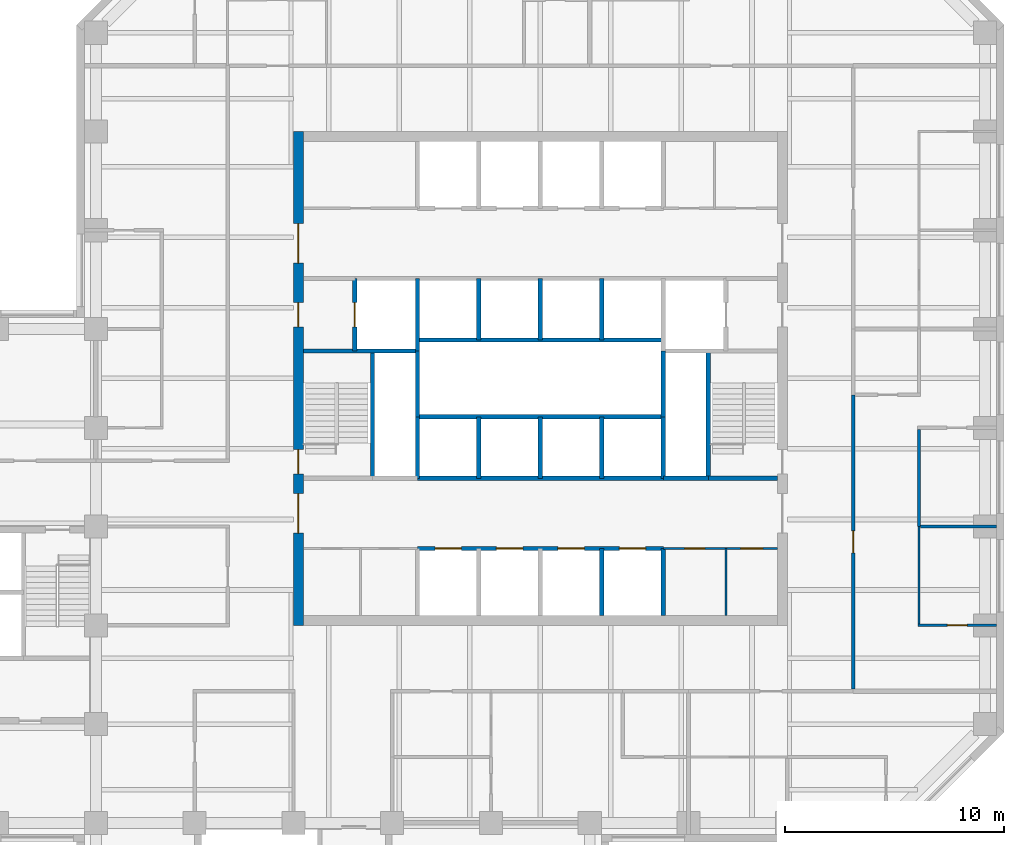
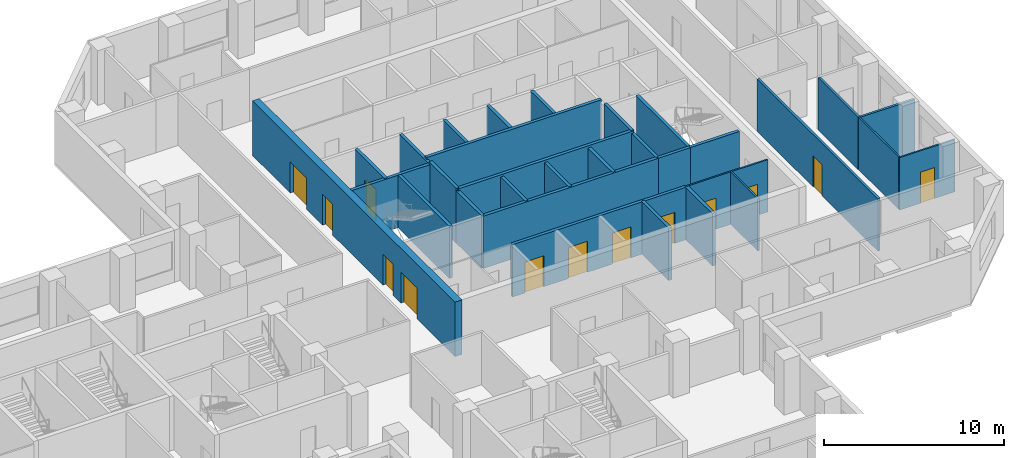
# One storey, part 7 of 11: 31 walls, 13 doors, 13 openings.
"""IFC4 building model written with IfcOpenShell, lengths in metres."""

from ifc_helpers import new_model, si_unit, direction, frame, frame_2d, origin, place, context, subcontext, project, spatial, rectangle, extrude, material, layer, layer_set, type_object, element, fill, save


model = new_model("IFC4")

# Units and contexts
model_context = context("Model", 3, precision=1e-05, world=origin(), true_north=direction((0.0, 1.0)))
body_context = subcontext(model_context, "Body", "Model", "MODEL_VIEW")
ifc_project = project(units=[si_unit("LENGTHUNIT", "METRE"), si_unit("AREAUNIT", "SQUARE_METRE"), si_unit("VOLUMEUNIT", "CUBIC_METRE"), si_unit("PLANEANGLEUNIT", "RADIAN"), si_unit("MASSUNIT", "GRAM", prefix="KILO")], contexts=[model_context])

# Site, building, storey
site_placement = place(None, origin())
site = spatial("IfcSite", under=ifc_project, at=site_placement, CompositionType="ELEMENT")
building_placement = place(site_placement, origin())
building = spatial("IfcBuilding", under=site, at=building_placement, Name="Quoin Convention Tower", CompositionType="ELEMENT")
storey_placement = place(building_placement, frame((0.0, 0.0, 130.699951171875)))
storey = spatial("IfcBuildingStorey", under=building, at=storey_placement, Name="L34", CompositionType="ELEMENT", Elevation=130.699951171875)

# Walls
ifc_material_1 = material(Name="Plasterboard")
ifc_layer_1 = layer(ifc_material_1, 0.012451171875, Name="Finish")
ifc_material_2 = material(Name="Steel stud framing", Category="steel")
ifc_layer_2 = layer(ifc_material_2, 0.125, Name="Structure")
ifc_layer_3 = layer(ifc_material_1, 0.012451171875, Name="Finish")
ifc_layer_set_1 = layer_set([ifc_layer_1, ifc_layer_2, ifc_layer_3], Name="Steel stud framing")
wall_type_1 = type_object("IfcWallType", Name="Acoustic partition 150", PredefinedType="PARTITIONING", material=ifc_layer_set_1)
wall_1_placement = place(storey_placement, frame((73.574951171875, 54.0, 0.0), z_axis=(0.0, 0.0, 1.0), x_axis=(1.0, 0.0, 0.0)))
element("IfcWall", 1, at=wall_1_placement, inside=storey, type_object=wall_type_1, Name="pw-L34-035", PredefinedType="PARTITIONING", context=body_context, shape_type="SweptSolid", body=[
    extrude(rectangle(XDim=3.449951171875, YDim=0.14990234375, at=frame_2d((1.72509765625, 0.0))), origin(), (0.0, 0.0, 1.0), 3.550048828125),
])
wall_2_placement = place(storey_placement, frame((73.5, 54.0, 0.0), z_axis=(0.0, 0.0, 1.0), x_axis=(0.0, 1.0, 0.0)))
element("IfcWall", 2, at=wall_2_placement, inside=storey, type_object=wall_type_1, Name="pw-L34-089", PredefinedType="PARTITIONING", context=body_context, shape_type="SweptSolid", body=[
    extrude(rectangle(XDim=4.425048828125, YDim=0.14990234375, at=frame_2d((2.21240234375, 0.0))), origin(), (0.0, 0.0, 1.0), 3.550048828125),
])

# Wall, openings, doors
ifc_layer_4 = layer(ifc_material_1, 0.012451171875, Name="Finish")
ifc_layer_5 = layer(ifc_material_2, 0.074951171875, Name="Structure")
ifc_layer_6 = layer(ifc_material_1, 0.012451171875, Name="Finish")
ifc_layer_set_2 = layer_set([ifc_layer_4, ifc_layer_5, ifc_layer_6], Name="Steel stud framing")
wall_type_2 = type_object("IfcWallType", Name="Core partition wall", PredefinedType="PARTITIONING", material=ifc_layer_set_2)
wall_3_placement = place(storey_placement, frame((61.85009765625, 53.0, 0.0), z_axis=(0.0, 0.0, 1.0), x_axis=(1.0, 0.0, 0.0)))
wall_3 = element("IfcWall", 3, at=wall_3_placement, inside=storey, type_object=wall_type_2, Name="cr-C1-L34-h3500_16850", PredefinedType="PARTITIONING", context=body_context, shape_type="SweptSolid", body=[
    extrude(rectangle(XDim=5.199951171875, YDim=0.10009765625, at=frame_2d((2.60009765625, 0.0))), origin(), (0.0, 0.0, 1.0), 3.550048828125),
])
opening_1_placement = place(wall_3_placement, frame((3.530029296875, 0.0, 0.0)))
opening_1 = element("IfcOpeningElement", 4, at=opening_1_placement, cuts=wall_3, Name="Opening DCV0-31", PredefinedType="OPENING", context=body_context, shape_type="SweptSolid", body=[
    extrude(rectangle(XDim=1.0, YDim=2.10009765625, at=frame_2d((0.5, 1.050048828125))), frame((0.0, 0.06005859375, 0.0), z_axis=(0.0, -1.0, 0.0), x_axis=(1.0, 0.0, 0.0)), (0.0, 0.0, 1.0), 0.1201171875),
])
opening_2_placement = place(wall_3_placement, frame((0.97998046875, 0.0, 0.0)))
opening_2 = element("IfcOpeningElement", 5, at=opening_2_placement, cuts=wall_3, Name="Opening DCV0-28", PredefinedType="OPENING", context=body_context, shape_type="SweptSolid", body=[
    extrude(rectangle(XDim=0.89990234375, YDim=2.10009765625, at=frame_2d((0.449951171875, 1.050048828125))), frame((0.0, 0.06005859375, 0.0), z_axis=(0.0, -1.0, 0.0), x_axis=(1.0, 0.0, 0.0)), (0.0, 0.0, 1.0), 0.1201171875),
])
ifc_material_3 = material(Name="Steel door leaf", Category="steel")
door_type_1 = type_object("IfcDoorType", Name="Core room door 1000 x 2100", OperationType="SINGLE_SWING_LEFT", PredefinedType="DOOR", material=ifc_material_3)
door_1_placement = place(opening_1_placement, frame((1.0, 0.0, 0.0), z_axis=(0.0, 0.0, 1.0), x_axis=(-1.0, 0.0, 0.0)))
door_1 = element("IfcDoor", 6, at=door_1_placement, inside=storey, type_object=door_type_1, Name="cd-C1-L34-CSE0-lobA-CD3410", OperationType="SINGLE_SWING_LEFT", OverallHeight=2.10009765625, OverallWidth=1.0, PredefinedType="DOOR", context=body_context, shape_type="SweptSolid", body=[
    extrude(rectangle(XDim=1.0, YDim=2.10009765625, at=frame_2d((0.5, 1.050048828125))), frame((0.0, 0.02490234375, 0.0), z_axis=(0.0, -1.0, 0.0), x_axis=(1.0, 0.0, 0.0)), (0.0, 0.0, 1.0), 0.050048828125),
])
fill(opening_1, door_1)
door_type_2 = type_object("IfcDoorType", Name="Core room door 900 x 2100", OperationType="SINGLE_SWING_LEFT", PredefinedType="DOOR", material=ifc_material_3)
door_2_placement = place(opening_2_placement, frame((0.89990234375, 0.0, 0.0), z_axis=(0.0, 0.0, 1.0), x_axis=(-1.0, 0.0, 0.0)))
door_2 = element("IfcDoor", 7, at=door_2_placement, inside=storey, type_object=door_type_2, Name="cd-C1-L34-CSE1-lobA-CD3411", OperationType="SINGLE_SWING_LEFT", OverallHeight=2.10009765625, OverallWidth=0.89990234375, PredefinedType="DOOR", context=body_context, shape_type="SweptSolid", body=[
    extrude(rectangle(XDim=0.89990234375, YDim=2.10009765625, at=frame_2d((0.449951171875, 1.050048828125))), frame((0.0, 0.02490234375, 0.0), z_axis=(0.0, -1.0, 0.0), x_axis=(1.0, 0.0, 0.0)), (0.0, 0.0, 1.0), 0.050048828125),
])
fill(opening_2, door_2)

# Wall
wall_4_placement = place(storey_placement, frame((64.7099609375, 49.949951171875, 0.0), z_axis=(0.0, 0.0, 1.0), x_axis=(0.0, 1.0, 0.0)))
element("IfcWall", 8, at=wall_4_placement, inside=storey, type_object=wall_type_2, Name="cr-C1-L34-v19710_450", PredefinedType="PARTITIONING", context=body_context, shape_type="SweptSolid", body=[
    extrude(rectangle(XDim=3.050048828125, YDim=0.10009765625, at=frame_2d((1.52490234375, 0.0))), origin(), (0.0, 0.0, 1.0), 3.550048828125),
])

# Wall, openings, doors
ifc_material_4 = material(Name="Concrete C50", Category="concrete")
ifc_layer_7 = layer(ifc_material_4, 0.199951171875)
ifc_layer_set_3 = layer_set([ifc_layer_7], Name="Concrete C50")
wall_type_3 = type_object("IfcWallType", Name="Core shaft wall", PredefinedType="SOLIDWALL", material=ifc_layer_set_3)
wall_5_placement = place(storey_placement, frame((50.64990234375, 53.0, 0.0), z_axis=(0.0, 0.0, 1.0), x_axis=(1.0, 0.0, 0.0)))
wall_5 = element("IfcWall", 9, at=wall_5_placement, inside=storey, type_object=wall_type_3, Name="cr-C1-L34-h3500_5650", PredefinedType="SOLIDWALL", context=body_context, shape_type="SweptSolid", body=[
    extrude(rectangle(XDim=11.2001953125, YDim=0.199951171875, at=frame_2d((5.60009765625, 0.0))), origin(), (0.0, 0.0, 1.0), 3.550048828125),
])
opening_3_placement = place(wall_5_placement, frame((0.800048828125, 0.0, 0.0)))
opening_3 = element("IfcOpeningElement", 10, at=opening_3_placement, cuts=wall_5, Name="Opening LDL1", PredefinedType="OPENING", context=body_context, shape_type="SweptSolid", body=[
    extrude(rectangle(XDim=1.199951171875, YDim=2.10009765625, at=frame_2d((0.60009765625, 1.050048828125))), frame((0.0, 0.10986328125, 0.0), z_axis=(0.0, -1.0, 0.0), x_axis=(1.0, 0.0, 0.0)), (0.0, 0.0, 1.0), 0.219970703125),
])
opening_4_placement = place(wall_5_placement, frame((3.60009765625, 0.0, 0.0)))
opening_4 = element("IfcOpeningElement", 11, at=opening_4_placement, cuts=wall_5, Name="Opening LDL2", PredefinedType="OPENING", context=body_context, shape_type="SweptSolid", body=[
    extrude(rectangle(XDim=1.199951171875, YDim=2.10009765625, at=frame_2d((0.60009765625, 1.050048828125))), frame((0.0, 0.10986328125, 0.0), z_axis=(0.0, -1.0, 0.0), x_axis=(1.0, 0.0, 0.0)), (0.0, 0.0, 1.0), 0.219970703125),
])
opening_5_placement = place(wall_5_placement, frame((6.39990234375, 0.0, 0.0)))
opening_5 = element("IfcOpeningElement", 12, at=opening_5_placement, cuts=wall_5, Name="Opening LDL3", PredefinedType="OPENING", context=body_context, shape_type="SweptSolid", body=[
    extrude(rectangle(XDim=1.199951171875, YDim=2.10009765625, at=frame_2d((0.60009765625, 1.050048828125))), frame((0.0, 0.10986328125, 0.0), z_axis=(0.0, -1.0, 0.0), x_axis=(1.0, 0.0, 0.0)), (0.0, 0.0, 1.0), 0.219970703125),
])
opening_6_placement = place(wall_5_placement, frame((9.199951171875, 0.0, 0.0)))
opening_6 = element("IfcOpeningElement", 13, at=opening_6_placement, cuts=wall_5, Name="Opening LDL4", PredefinedType="OPENING", context=body_context, shape_type="SweptSolid", body=[
    extrude(rectangle(XDim=1.199951171875, YDim=2.10009765625, at=frame_2d((0.60009765625, 1.050048828125))), frame((0.0, 0.10986328125, 0.0), z_axis=(0.0, -1.0, 0.0), x_axis=(1.0, 0.0, 0.0)), (0.0, 0.0, 1.0), 0.219970703125),
])
door_type_3 = type_object("IfcDoorType", Name="Lift landing door 1200 x 2100", OperationType="DOUBLE_DOOR_SLIDING", PredefinedType="DOOR", material=ifc_material_3)
door_3_placement = place(opening_3_placement, origin())
door_3 = element("IfcDoor", 14, at=door_3_placement, inside=storey, type_object=door_type_3, Name="cd-C1-L34-R10-lobA-LDL1", OperationType="DOUBLE_DOOR_SLIDING", OverallHeight=2.10009765625, OverallWidth=1.199951171875, PredefinedType="DOOR", context=body_context, shape_type="SweptSolid", body=[
    extrude(rectangle(XDim=1.199951171875, YDim=2.10009765625, at=frame_2d((0.60009765625, 1.050048828125))), frame((0.0, 0.02490234375, 0.0), z_axis=(0.0, -1.0, 0.0), x_axis=(1.0, 0.0, 0.0)), (0.0, 0.0, 1.0), 0.050048828125),
])
fill(opening_3, door_3)
door_4_placement = place(opening_4_placement, origin())
door_4 = element("IfcDoor", 15, at=door_4_placement, inside=storey, type_object=door_type_3, Name="cd-C1-L34-R11-lobA-LDL2", OperationType="DOUBLE_DOOR_SLIDING", OverallHeight=2.10009765625, OverallWidth=1.199951171875, PredefinedType="DOOR", context=body_context, shape_type="SweptSolid", body=[
    extrude(rectangle(XDim=1.199951171875, YDim=2.10009765625, at=frame_2d((0.60009765625, 1.050048828125))), frame((0.0, 0.02490234375, 0.0), z_axis=(0.0, -1.0, 0.0), x_axis=(1.0, 0.0, 0.0)), (0.0, 0.0, 1.0), 0.050048828125),
])
fill(opening_4, door_4)
door_5_placement = place(opening_5_placement, origin())
door_5 = element("IfcDoor", 16, at=door_5_placement, inside=storey, type_object=door_type_3, Name="cd-C1-L34-R12-lobA-LDL3", OperationType="DOUBLE_DOOR_SLIDING", OverallHeight=2.10009765625, OverallWidth=1.199951171875, PredefinedType="DOOR", context=body_context, shape_type="SweptSolid", body=[
    extrude(rectangle(XDim=1.199951171875, YDim=2.10009765625, at=frame_2d((0.60009765625, 1.050048828125))), frame((0.0, 0.02490234375, 0.0), z_axis=(0.0, -1.0, 0.0), x_axis=(1.0, 0.0, 0.0)), (0.0, 0.0, 1.0), 0.050048828125),
])
fill(opening_5, door_5)
door_6_placement = place(opening_6_placement, origin())
door_6 = element("IfcDoor", 17, at=door_6_placement, inside=storey, type_object=door_type_3, Name="cd-C1-L34-R13-lobA-LDL4", OperationType="DOUBLE_DOOR_SLIDING", OverallHeight=2.10009765625, OverallWidth=1.199951171875, PredefinedType="DOOR", context=body_context, shape_type="SweptSolid", body=[
    extrude(rectangle(XDim=1.199951171875, YDim=2.10009765625, at=frame_2d((0.60009765625, 1.050048828125))), frame((0.0, 0.02490234375, 0.0), z_axis=(0.0, -1.0, 0.0), x_axis=(1.0, 0.0, 0.0)), (0.0, 0.0, 1.0), 0.050048828125),
])
fill(opening_6, door_6)

# Walls
wall_6_placement = place(storey_placement, frame((61.85009765625, 56.199951171875, 0.0), z_axis=(0.0, 0.0, 1.0), x_axis=(1.0, 0.0, 0.0)))
element("IfcWall", 18, at=wall_6_placement, inside=storey, type_object=wall_type_3, Name="cr-C1-L34-h6700_16850", PredefinedType="SOLIDWALL", context=body_context, shape_type="SweptSolid", body=[
    extrude(rectangle(XDim=2.0498046875, YDim=0.199951171875, at=frame_2d((1.02490234375, 0.0))), origin(), (0.0, 0.0, 1.0), 3.550048828125),
])
wall_7_placement = place(storey_placement, frame((50.64990234375, 56.199951171875, 0.0), z_axis=(0.0, 0.0, 1.0), x_axis=(1.0, 0.0, 0.0)))
element("IfcWall", 19, at=wall_7_placement, inside=storey, type_object=wall_type_3, Name="cr-C1-L34-h6700_5650", PredefinedType="SOLIDWALL", context=body_context, shape_type="SweptSolid", body=[
    extrude(rectangle(XDim=11.2001953125, YDim=0.199951171875, at=frame_2d((5.60009765625, 0.0))), origin(), (0.0, 0.0, 1.0), 3.550048828125),
])
wall_8_placement = place(storey_placement, frame((63.89990234375, 56.199951171875, 0.0), z_axis=(0.0, 0.0, 1.0), x_axis=(1.0, 0.0, 0.0)))
element("IfcWall", 20, at=wall_8_placement, inside=storey, type_object=wall_type_3, Name="cr-C1-L34-h6700_18900", PredefinedType="SOLIDWALL", context=body_context, shape_type="SweptSolid", body=[
    extrude(rectangle(XDim=3.150146484375, YDim=0.199951171875, at=frame_2d((1.5751953125, 0.0))), origin(), (0.0, 0.0, 1.0), 3.550048828125),
])
wall_9_placement = place(storey_placement, frame((45.449951171875, 62.0, 0.0), z_axis=(0.0, 0.0, 1.0), x_axis=(1.0, 0.0, 0.0)))
element("IfcWall", 21, at=wall_9_placement, inside=storey, type_object=wall_type_3, Name="cr-C1-L34-h12500_450", PredefinedType="SOLIDWALL", context=body_context, shape_type="SweptSolid", body=[
    extrude(rectangle(XDim=5.199951171875, YDim=0.199951171875, at=frame_2d((2.60009765625, 0.0))), origin(), (0.0, 0.0, 1.0), 3.550048828125),
])

# Wall, opening, door
wall_10_placement = place(storey_placement, frame((47.800048828125, 62.0, 0.0), z_axis=(0.0, 0.0, 1.0), x_axis=(0.0, 1.0, 0.0)))
wall_10 = element("IfcWall", 22, at=wall_10_placement, inside=storey, type_object=wall_type_3, Name="cr-C1-L34-v2800_12500", PredefinedType="SOLIDWALL", context=body_context, shape_type="SweptSolid", body=[
    extrude(rectangle(XDim=3.300048828125, YDim=0.199951171875, at=frame_2d((1.64990234375, 0.0))), origin(), (0.0, 0.0, 1.0), 3.550048828125),
])
opening_7_placement = place(wall_10_placement, frame((1.10009765625, 0.0, 0.0)))
opening_7 = element("IfcOpeningElement", 23, at=opening_7_placement, cuts=wall_10, Name="Opening LDFL1", PredefinedType="OPENING", context=body_context, shape_type="SweptSolid", body=[
    extrude(rectangle(XDim=1.10009765625, YDim=2.10009765625, at=frame_2d((0.550048828125, 1.050048828125))), frame((0.0, 0.10986328125, 0.0), z_axis=(0.0, -1.0, 0.0), x_axis=(1.0, 0.0, 0.0)), (0.0, 0.0, 1.0), 0.219970703125),
])
door_type_4 = type_object("IfcDoorType", Name="Lift landing door 1100 x 2100", OperationType="DOUBLE_DOOR_SLIDING", PredefinedType="DOOR", material=ifc_material_3)
door_7_placement = place(opening_7_placement, origin())
door_7 = element("IfcDoor", 24, at=door_7_placement, inside=storey, type_object=door_type_4, Name="cd-C1-L34-FLW-FFW-LDFL1", OperationType="DOUBLE_DOOR_SLIDING", OverallHeight=2.10009765625, OverallWidth=1.10009765625, PredefinedType="DOOR", context=body_context, shape_type="SweptSolid", body=[
    extrude(rectangle(XDim=1.10009765625, YDim=2.10009765625, at=frame_2d((0.550048828125, 1.050048828125))), frame((0.0, 0.02490234375, 0.0), z_axis=(0.0, -1.0, 0.0), x_axis=(1.0, 0.0, 0.0)), (0.0, 0.0, 1.0), 0.050048828125),
])
fill(opening_7, door_7)

# Walls
wall_11_placement = place(storey_placement, frame((48.60009765625, 56.199951171875, 0.0), z_axis=(0.0, 0.0, 1.0), x_axis=(0.0, 1.0, 0.0)))
element("IfcWall", 25, at=wall_11_placement, inside=storey, type_object=wall_type_3, Name="cr-C1-L34-v3600_6700", PredefinedType="SOLIDWALL", context=body_context, shape_type="SweptSolid", body=[
    extrude(rectangle(XDim=5.800048828125, YDim=0.199951171875, at=frame_2d((2.89990234375, 0.0))), origin(), (0.0, 0.0, 1.0), 3.550048828125),
])
wall_12_placement = place(storey_placement, frame((50.64990234375, 56.199951171875, 0.0), z_axis=(0.0, 0.0, 1.0), x_axis=(0.0, 1.0, 0.0)))
element("IfcWall", 26, at=wall_12_placement, inside=storey, type_object=wall_type_3, Name="cr-C1-L34-v5650_6700", PredefinedType="SOLIDWALL", context=body_context, shape_type="SweptSolid", body=[
    extrude(rectangle(XDim=2.800048828125, YDim=0.199951171875, at=frame_2d((1.39990234375, 0.0))), origin(), (0.0, 0.0, 1.0), 3.550048828125),
])
wall_13_placement = place(storey_placement, frame((50.64990234375, 62.0, 0.0), z_axis=(0.0, 0.0, 1.0), x_axis=(0.0, 1.0, 0.0)))
element("IfcWall", 27, at=wall_13_placement, inside=storey, type_object=wall_type_3, Name="cr-C1-L34-v5650_12500", PredefinedType="SOLIDWALL", context=body_context, shape_type="SweptSolid", body=[
    extrude(rectangle(XDim=3.300048828125, YDim=0.199951171875, at=frame_2d((1.64990234375, 0.0))), origin(), (0.0, 0.0, 1.0), 3.550048828125),
])
for number, where, z_axis, x_axis, name in (
    (28, (53.449951171875, 56.199951171875, 0.0), (0.0, 0.0, 1.0), (0.0, 1.0, 0.0), "cr-C1-L34-v8450_6700"),
    (29, (53.449951171875, 62.5, 0.0), (0.0, 0.0, 1.0), (0.0, 1.0, 0.0), "cr-C1-L34-v8450_13000"),
    (30, (56.25, 56.199951171875, 0.0), (0.0, 0.0, 1.0), (0.0, 1.0, 0.0), "cr-C1-L34-v11250_6700"),
    (31, (56.25, 62.5, 0.0), (0.0, 0.0, 1.0), (0.0, 1.0, 0.0), "cr-C1-L34-v11250_13000"),
):
    element("IfcWall", number, at=place(storey_placement, frame(where, z_axis=z_axis, x_axis=x_axis)), inside=storey, type_object=wall_type_3, Name=name, PredefinedType="SOLIDWALL", context=body_context, shape_type="SweptSolid", body=[
        extrude(rectangle(XDim=2.800048828125, YDim=0.199951171875, at=frame_2d((1.39990234375, 0.0))), origin(), (0.0, 0.0, 1.0), 3.550048828125),
    ])
wall_14_placement = place(storey_placement, frame((59.050048828125, 49.949951171875, 0.0), z_axis=(0.0, 0.0, 1.0), x_axis=(0.0, 1.0, 0.0)))
element("IfcWall", 32, at=wall_14_placement, inside=storey, type_object=wall_type_3, Name="cr-C1-L34-v14050_450", PredefinedType="SOLIDWALL", context=body_context, shape_type="SweptSolid", body=[
    extrude(rectangle(XDim=3.050048828125, YDim=0.199951171875, at=frame_2d((1.52490234375, 0.0))), origin(), (0.0, 0.0, 1.0), 3.550048828125),
])
for number, where, z_axis, x_axis, name in (
    (33, (59.050048828125, 56.199951171875, 0.0), (0.0, 0.0, 1.0), (0.0, 1.0, 0.0), "cr-C1-L34-v14050_6700"),
    (34, (59.050048828125, 62.5, 0.0), (0.0, 0.0, 1.0), (0.0, 1.0, 0.0), "cr-C1-L34-v14050_13000"),
):
    element("IfcWall", number, at=place(storey_placement, frame(where, z_axis=z_axis, x_axis=x_axis)), inside=storey, type_object=wall_type_3, Name=name, PredefinedType="SOLIDWALL", context=body_context, shape_type="SweptSolid", body=[
        extrude(rectangle(XDim=2.800048828125, YDim=0.199951171875, at=frame_2d((1.39990234375, 0.0))), origin(), (0.0, 0.0, 1.0), 3.550048828125),
    ])
wall_15_placement = place(storey_placement, frame((61.85009765625, 49.949951171875, 0.0), z_axis=(0.0, 0.0, 1.0), x_axis=(0.0, 1.0, 0.0)))
element("IfcWall", 35, at=wall_15_placement, inside=storey, type_object=wall_type_3, Name="cr-C1-L34-v16850_450", PredefinedType="SOLIDWALL", context=body_context, shape_type="SweptSolid", body=[
    extrude(rectangle(XDim=3.050048828125, YDim=0.199951171875, at=frame_2d((1.52490234375, 0.0))), origin(), (0.0, 0.0, 1.0), 3.550048828125),
])
wall_16_placement = place(storey_placement, frame((61.85009765625, 56.199951171875, 0.0), z_axis=(0.0, 0.0, 1.0), x_axis=(0.0, 1.0, 0.0)))
element("IfcWall", 36, at=wall_16_placement, inside=storey, type_object=wall_type_3, Name="cr-C1-L34-v16850_6700", PredefinedType="SOLIDWALL", context=body_context, shape_type="SweptSolid", body=[
    extrude(rectangle(XDim=2.800048828125, YDim=0.199951171875, at=frame_2d((1.39990234375, 0.0))), origin(), (0.0, 0.0, 1.0), 3.550048828125),
])
wall_17_placement = place(storey_placement, frame((63.89990234375, 56.199951171875, 0.0), z_axis=(0.0, 0.0, 1.0), x_axis=(0.0, 1.0, 0.0)))
element("IfcWall", 37, at=wall_17_placement, inside=storey, type_object=wall_type_3, Name="cr-C1-L34-v18900_6700", PredefinedType="SOLIDWALL", context=body_context, shape_type="SweptSolid", body=[
    extrude(rectangle(XDim=5.800048828125, YDim=0.199951171875, at=frame_2d((2.89990234375, 0.0))), origin(), (0.0, 0.0, 1.0), 3.550048828125),
])
ifc_layer_8 = layer(ifc_material_4, 0.199951171875)
ifc_layer_set_4 = layer_set([ifc_layer_8], Name="Concrete C50")
wall_type_4 = type_object("IfcWallType", Name="Core shaft wall to the floor level over", PredefinedType="SOLIDWALL", material=ifc_layer_set_4)
for number, where, z_axis, x_axis, name in (
    (38, (50.64990234375, 59.0, 0.0), (0.0, 0.0, 1.0), (1.0, 0.0, 0.0), "cr-C1-L34-h9500_5650"),
    (39, (50.64990234375, 62.5, 0.0), (0.0, 0.0, 1.0), (1.0, 0.0, 0.0), "cr-C1-L34-h13000_5650"),
):
    element("IfcWall", number, at=place(storey_placement, frame(where, z_axis=z_axis, x_axis=x_axis)), inside=storey, type_object=wall_type_4, Name=name, PredefinedType="SOLIDWALL", context=body_context, shape_type="SweptSolid", body=[
        extrude(rectangle(XDim=11.2001953125, YDim=0.199951171875, at=frame_2d((5.60009765625, 0.0))), origin(), (0.0, 0.0, 1.0), 3.699951171875),
    ])
for number, where, z_axis, x_axis, name in (
    (40, (50.64990234375, 59.0, 0.0), (0.0, 0.0, 1.0), (0.0, 1.0, 0.0), "cr-C1-L34-v5650_9500"),
    (41, (61.85009765625, 59.0, 0.0), (0.0, 0.0, 1.0), (0.0, 1.0, 0.0), "cr-C1-L34-v16850_9500"),
):
    element("IfcWall", number, at=place(storey_placement, frame(where, z_axis=z_axis, x_axis=x_axis)), inside=storey, type_object=wall_type_4, Name=name, PredefinedType="SOLIDWALL", context=body_context, shape_type="SweptSolid", body=[
        extrude(rectangle(XDim=3.0, YDim=0.199951171875, at=frame_2d((1.5, 0.0))), origin(), (0.0, 0.0, 1.0), 3.699951171875),
    ])

# Wall, opening, door
ifc_layer_9 = layer(ifc_material_1, 0.012451171875, Name="Finish")
ifc_layer_10 = layer(ifc_material_2, 0.125, Name="Structure")
ifc_layer_11 = layer(ifc_material_1, 0.012451171875, Name="Finish")
ifc_layer_set_5 = layer_set([ifc_layer_9, ifc_layer_10, ifc_layer_11], Name="Steel stud framing")
wall_type_5 = type_object("IfcWallType", Name="Corridor wall 150", PredefinedType="PARTITIONING", material=ifc_layer_set_5)
wall_18_placement = place(storey_placement, frame((70.5, 46.60009765625, 0.0), z_axis=(0.0, 0.0, 1.0), x_axis=(0.0, 1.0, 0.0)))
wall_18 = element("IfcWall", 42, at=wall_18_placement, inside=storey, type_object=wall_type_5, Name="pw-L34-083", PredefinedType="PARTITIONING", context=body_context, shape_type="SweptSolid", body=[
    extrude(rectangle(XDim=13.39990234375, YDim=0.14990234375, at=frame_2d((6.699951171875, 0.0))), origin(), (0.0, 0.0, 1.0), 3.550048828125),
])
opening_8_placement = place(wall_18_placement, frame((6.199951171875, 0.0, 0.0)))
opening_8 = element("IfcOpeningElement", 43, at=opening_8_placement, cuts=wall_18, Name="Opening DOL7-31", PredefinedType="OPENING", context=body_context, shape_type="SweptSolid", body=[
    extrude(rectangle(XDim=1.0, YDim=2.10009765625, at=frame_2d((0.5, 1.050048828125))), frame((0.0, 0.0849609375, 0.0), z_axis=(0.0, -1.0, 0.0), x_axis=(1.0, 0.0, 0.0)), (0.0, 0.0, 1.0), 0.169921875),
])
door_type_5 = type_object("IfcDoorType", Name="Tenancy entrance door 1000 x 2100", OperationType="DOUBLE_DOOR_SINGLE_SWING", PredefinedType="DOOR", material=ifc_material_3)
door_8_placement = place(opening_8_placement, frame((1.0, 0.0, 0.0), z_axis=(0.0, 0.0, 1.0), x_axis=(-1.0, 0.0, 0.0)))
door_8 = element("IfcDoor", 44, at=door_8_placement, inside=storey, type_object=door_type_5, Name="dr-L34-25", OperationType="DOUBLE_DOOR_SINGLE_SWING", OverallHeight=2.10009765625, OverallWidth=1.0, PredefinedType="DOOR", context=body_context, shape_type="SweptSolid", body=[
    extrude(rectangle(XDim=1.0, YDim=2.10009765625, at=frame_2d((0.5, 1.050048828125))), frame((0.0, 0.02490234375, 0.0), z_axis=(0.0, -1.0, 0.0), x_axis=(1.0, 0.0, 0.0)), (0.0, 0.0, 1.0), 0.050048828125),
])
fill(opening_8, door_8)

# Wall, openings, doors
ifc_material_5 = material(Name="Concrete C65", Category="concrete")
ifc_layer_12 = layer(ifc_material_5, 0.449951171875)
ifc_layer_set_6 = layer_set([ifc_layer_12], Name="Concrete C65")
wall_type_6 = type_object("IfcWallType", Name="RC CORE WALL 450 C65", PredefinedType="SHEAR", material=ifc_layer_set_6)
wall_19_placement = place(storey_placement, frame((45.22509765625, 49.5, 0.0), z_axis=(0.0, 0.0, 1.0), x_axis=(0.0, 1.0, 0.0)))
wall_19 = element("IfcWall", 45, at=wall_19_placement, inside=storey, type_object=wall_type_6, Name="cwl-C1-L34-W", PredefinedType="SHEAR", context=body_context, shape_type="SweptSolid", body=[
    extrude(rectangle(XDim=22.5, YDim=0.449951171875, at=frame_2d((11.25, 0.0))), origin(), (0.0, 0.0, 1.0), 3.699951171875),
])
opening_9_placement = place(wall_19_placement, frame((4.199951171875, 0.0, 0.0)))
opening_9 = element("IfcOpeningElement", 46, at=opening_9_placement, cuts=wall_19, Name="Opening DCV0-59", PredefinedType="OPENING", context=body_context, shape_type="SweptSolid", body=[
    extrude(rectangle(XDim=1.800048828125, YDim=2.10009765625, at=frame_2d((0.89990234375, 1.050048828125))), frame((0.0, 0.23486328125, 0.0), z_axis=(0.0, -1.0, 0.0), x_axis=(1.0, 0.0, 0.0)), (0.0, 0.0, 1.0), 0.469970703125),
])
opening_10_placement = place(wall_19_placement, frame((6.89990234375, 0.0, 0.0)))
opening_10 = element("IfcOpeningElement", 47, at=opening_10_placement, cuts=wall_19, Name="Opening SD1", PredefinedType="OPENING", context=body_context, shape_type="SweptSolid", body=[
    extrude(rectangle(XDim=1.10009765625, YDim=2.10009765625, at=frame_2d((0.550048828125, 1.050048828125))), frame((0.0, 0.23486328125, 0.0), z_axis=(0.0, -1.0, 0.0), x_axis=(1.0, 0.0, 0.0)), (0.0, 0.0, 1.0), 0.469970703125),
])
opening_11_placement = place(wall_19_placement, frame((13.60009765625, 0.0, 0.0)))
opening_11 = element("IfcOpeningElement", 48, at=opening_11_placement, cuts=wall_19, Name="Opening DCV0-58", PredefinedType="OPENING", context=body_context, shape_type="SweptSolid", body=[
    extrude(rectangle(XDim=1.10009765625, YDim=2.10009765625, at=frame_2d((0.550048828125, 1.050048828125))), frame((0.0, 0.23486328125, 0.0), z_axis=(0.0, -1.0, 0.0), x_axis=(1.0, 0.0, 0.0)), (0.0, 0.0, 1.0), 0.469970703125),
])
opening_12_placement = place(wall_19_placement, frame((16.5, 0.0, 0.0)))
opening_12 = element("IfcOpeningElement", 49, at=opening_12_placement, cuts=wall_19, Name="Opening DCV0-59", PredefinedType="OPENING", context=body_context, shape_type="SweptSolid", body=[
    extrude(rectangle(XDim=1.800048828125, YDim=2.10009765625, at=frame_2d((0.89990234375, 1.050048828125))), frame((0.0, 0.23486328125, 0.0), z_axis=(0.0, -1.0, 0.0), x_axis=(1.0, 0.0, 0.0)), (0.0, 0.0, 1.0), 0.469970703125),
])
door_type_6 = type_object("IfcDoorType", Name="Fire-fighting lobby door 1100 x 2100", OperationType="SINGLE_SWING_LEFT", PredefinedType="DOOR", material=ifc_material_3)
door_9_placement = place(opening_11_placement, frame((1.10009765625, 0.0, 0.0), z_axis=(0.0, 0.0, 1.0), x_axis=(-1.0, 0.0, 0.0)))
door_9 = element("IfcDoor", 50, at=door_9_placement, inside=storey, type_object=door_type_6, Name="cd-C1-L34-FFW-W", OperationType="SINGLE_SWING_LEFT", OverallHeight=2.10009765625, OverallWidth=1.10009765625, PredefinedType="DOOR", context=body_context, shape_type="SweptSolid", body=[
    extrude(rectangle(XDim=1.10009765625, YDim=2.10009765625, at=frame_2d((0.550048828125, 1.050048828125))), frame((0.0, 0.02490234375, 0.0), z_axis=(0.0, -1.0, 0.0), x_axis=(1.0, 0.0, 0.0)), (0.0, 0.0, 1.0), 0.050048828125),
])
fill(opening_11, door_9)
door_type_7 = type_object("IfcDoorType", Name="Lift lobby door 1800 x 2100", OperationType="SINGLE_SWING_LEFT", PredefinedType="DOOR", material=ifc_material_3)
door_10_placement = place(opening_9_placement, frame((1.800048828125, 0.0, 0.0), z_axis=(0.0, 0.0, 1.0), x_axis=(-1.0, 0.0, 0.0)))
door_10 = element("IfcDoor", 51, at=door_10_placement, inside=storey, type_object=door_type_7, Name="cd-C1-L34-lobA-W", OperationType="SINGLE_SWING_LEFT", OverallHeight=2.10009765625, OverallWidth=1.800048828125, PredefinedType="DOOR", context=body_context, shape_type="SweptSolid", body=[
    extrude(rectangle(XDim=1.800048828125, YDim=2.10009765625, at=frame_2d((0.89990234375, 1.050048828125))), frame((0.0, 0.02490234375, 0.0), z_axis=(0.0, -1.0, 0.0), x_axis=(1.0, 0.0, 0.0)), (0.0, 0.0, 1.0), 0.050048828125),
])
fill(opening_9, door_10)
door_11_placement = place(opening_12_placement, frame((1.800048828125, 0.0, 0.0), z_axis=(0.0, 0.0, 1.0), x_axis=(-1.0, 0.0, 0.0)))
door_11 = element("IfcDoor", 52, at=door_11_placement, inside=storey, type_object=door_type_7, Name="cd-C1-L34-lobB-W", OperationType="SINGLE_SWING_LEFT", OverallHeight=2.10009765625, OverallWidth=1.800048828125, PredefinedType="DOOR", context=body_context, shape_type="SweptSolid", body=[
    extrude(rectangle(XDim=1.800048828125, YDim=2.10009765625, at=frame_2d((0.89990234375, 1.050048828125))), frame((0.0, 0.02490234375, 0.0), z_axis=(0.0, -1.0, 0.0), x_axis=(1.0, 0.0, 0.0)), (0.0, 0.0, 1.0), 0.050048828125),
])
fill(opening_12, door_11)
door_type_8 = type_object("IfcDoorType", Name="Stair door 1100 x 2100", OperationType="SINGLE_SWING_RIGHT", PredefinedType="DOOR", material=ifc_material_3)
door_12_placement = place(opening_10_placement, frame((1.10009765625, 0.0, 0.0), z_axis=(0.0, 0.0, 1.0), x_axis=(-1.0, 0.0, 0.0)))
door_12 = element("IfcDoor", 53, at=door_12_placement, inside=storey, type_object=door_type_8, Name="cd-C1-L34-STW-W", OperationType="SINGLE_SWING_RIGHT", OverallHeight=2.10009765625, OverallWidth=1.10009765625, PredefinedType="DOOR", context=body_context, shape_type="SweptSolid", body=[
    extrude(rectangle(XDim=1.10009765625, YDim=2.10009765625, at=frame_2d((0.550048828125, 1.050048828125))), frame((0.0, 0.02490234375, 0.0), z_axis=(0.0, -1.0, 0.0), x_axis=(1.0, 0.0, 0.0)), (0.0, 0.0, 1.0), 0.050048828125),
])
fill(opening_10, door_12)

# Wall, opening, door
ifc_layer_13 = layer(ifc_material_1, 0.012451171875, Name="Finish")
ifc_layer_14 = layer(ifc_material_2, 0.074951171875, Name="Structure")
ifc_layer_15 = layer(ifc_material_1, 0.012451171875, Name="Finish")
ifc_layer_set_7 = layer_set([ifc_layer_13, ifc_layer_14, ifc_layer_15], Name="Steel stud framing")
wall_type_7 = type_object("IfcWallType", Name="Stud partition 100", PredefinedType="PARTITIONING", material=ifc_layer_set_7)
wall_20_placement = place(storey_placement, frame((73.449951171875, 49.5, 0.0), z_axis=(0.0, 0.0, 1.0), x_axis=(1.0, 0.0, 0.0)))
wall_20 = element("IfcWall", 54, at=wall_20_placement, inside=storey, type_object=wall_type_7, Name="pw-L34-032", PredefinedType="PARTITIONING", context=body_context, shape_type="SweptSolid", body=[
    extrude(rectangle(XDim=3.574951171875, YDim=0.10009765625, at=frame_2d((1.78759765625, 0.0))), origin(), (0.0, 0.0, 1.0), 3.550048828125),
])
opening_13_placement = place(wall_20_placement, frame((1.35009765625, 0.0, 0.0)))
opening_13 = element("IfcOpeningElement", 55, at=opening_13_placement, cuts=wall_20, Name="Opening DOL7-13", PredefinedType="OPENING", context=body_context, shape_type="SweptSolid", body=[
    extrude(rectangle(XDim=0.89990234375, YDim=2.10009765625, at=frame_2d((0.449951171875, 1.050048828125))), frame((0.0, 0.06005859375, 0.0), z_axis=(0.0, -1.0, 0.0), x_axis=(1.0, 0.0, 0.0)), (0.0, 0.0, 1.0), 0.1201171875),
])
door_type_9 = type_object("IfcDoorType", Name="Office door 900 x 2100", OperationType="SINGLE_SWING_RIGHT", PredefinedType="DOOR", material=ifc_material_3)
door_13_placement = place(opening_13_placement, frame((0.89990234375, 0.0, 0.0), z_axis=(0.0, 0.0, 1.0), x_axis=(-1.0, 0.0, 0.0)))
door_13 = element("IfcDoor", 56, at=door_13_placement, inside=storey, type_object=door_type_9, Name="dr-L34-26", OperationType="SINGLE_SWING_LEFT", OverallHeight=2.10009765625, OverallWidth=0.89990234375, PredefinedType="DOOR", context=body_context, shape_type="SweptSolid", body=[
    extrude(rectangle(XDim=0.89990234375, YDim=2.10009765625, at=frame_2d((0.449951171875, 1.050048828125))), frame((0.0, 0.02490234375, 0.0), z_axis=(0.0, -1.0, 0.0), x_axis=(1.0, 0.0, 0.0)), (0.0, 0.0, 1.0), 0.050048828125),
])
fill(opening_13, door_13)

# Wall
wall_21_placement = place(storey_placement, frame((73.5, 49.550048828125, 0.0), z_axis=(0.0, 0.0, 1.0), x_axis=(0.0, 1.0, 0.0)))
element("IfcWall", 57, at=wall_21_placement, inside=storey, type_object=wall_type_7, Name="pw-L34-085", PredefinedType="PARTITIONING", context=body_context, shape_type="SweptSolid", body=[
    extrude(rectangle(XDim=4.449951171875, YDim=0.10009765625, at=frame_2d((2.22509765625, 0.0))), origin(), (0.0, 0.0, 1.0), 3.550048828125),
])

save(model, "model.ifc")
